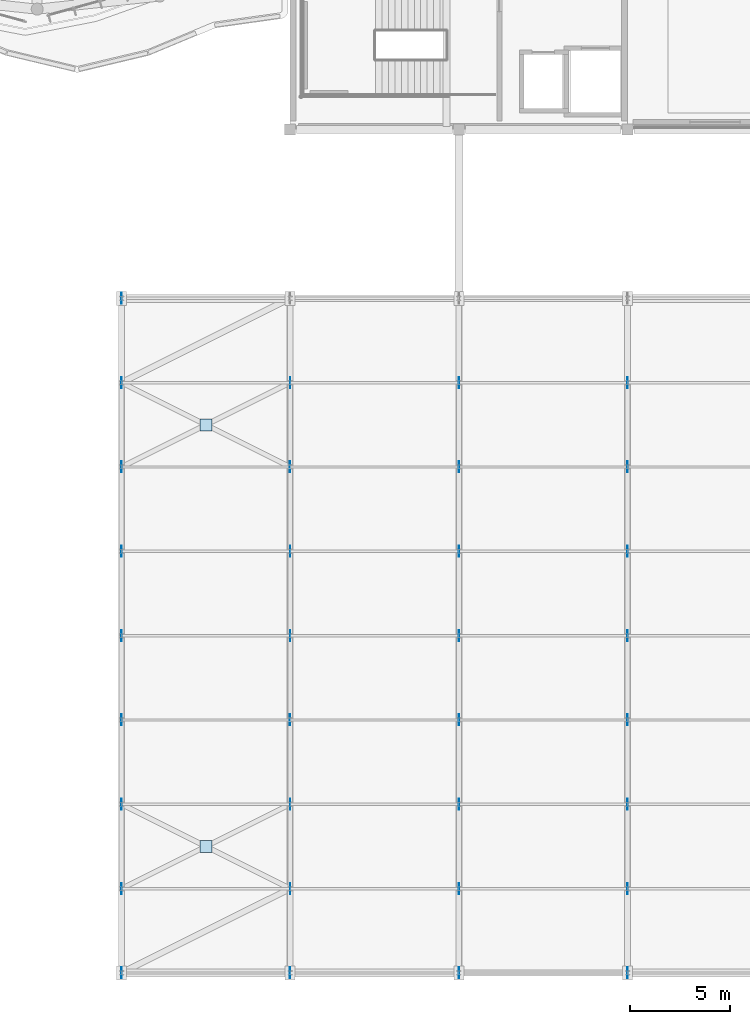
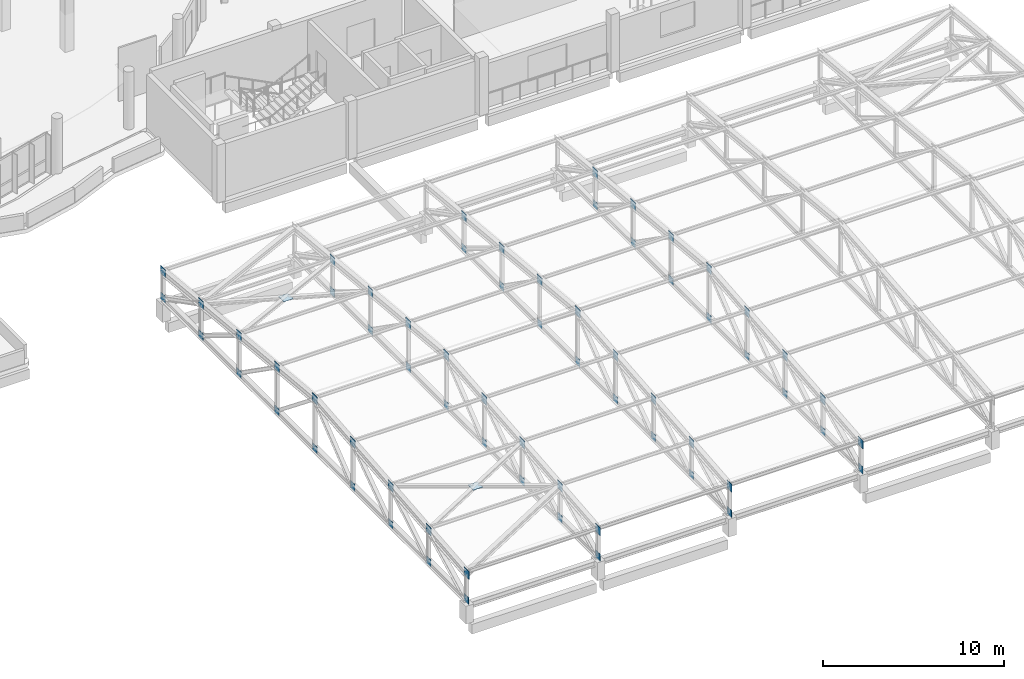
# One storey, part 55 of 74: 68 plates.
"""IFC4 building model written with IfcOpenShell, lengths in metres."""

from ifc_helpers import new_model, si_unit, derived_unit, direction, frame, origin, origin_2d, place, context, subcontext, project, spatial, rectangle, extrude, material, layer, layer_set, type_object, element, save


model = new_model("IFC4")

# Units and contexts
model_context = context("Model", 3, precision=1e-05, world=origin(), true_north=direction((0.0, 1.0)))
body_context = subcontext(model_context, "Body", "Model", "MODEL_VIEW")
ifc_project = project(units=[si_unit("LENGTHUNIT", "METRE"), si_unit("AREAUNIT", "SQUARE_METRE"), si_unit("VOLUMEUNIT", "CUBIC_METRE"), si_unit("PLANEANGLEUNIT", "RADIAN"), si_unit("MASSUNIT", "GRAM", prefix="KILO"), derived_unit("THERMALTRANSMITTANCEUNIT", [(si_unit("POWERUNIT", "WATT"), 1), (si_unit("LENGTHUNIT", "METRE"), -2), (si_unit("THERMODYNAMICTEMPERATUREUNIT", "KELVIN"), -1)])], contexts=[model_context])

# Site, building, storey
site_placement = place(None, origin())
site = spatial("IfcSite", under=ifc_project, at=site_placement, CompositionType="ELEMENT")
building_placement = place(site_placement, origin())
building = spatial("IfcBuilding", under=site, at=building_placement, Name="Elbkamm Science Centre", CompositionType="ELEMENT")
storey_placement = place(building_placement, frame((0.0, 0.0, 14.39990234375)))
storey = spatial("IfcBuildingStorey", under=building, at=storey_placement, Name="L03", CompositionType="ELEMENT", Elevation=14.39990234375)

# Plates
ifc_material = material(Name="Steel EN 10025-2 S355J2", Category="steel")
ifc_layer_1 = layer(ifc_material, 0.01611328125)
ifc_layer_set_1 = layer_set([ifc_layer_1], Name="Steel EN 10025-2 S355J2")
plate_type_1 = type_object("IfcPlateType", Name="PLT-SHEET-16", PredefinedType="SHEET", material=ifc_layer_set_1)
for number, where, z_axis, x_axis, name in (
    (1, (67.199951171875, 8.39990234375, 3.67626953125), (0.0, 0.0, 1.0), (1.0, 0.0, 0.0), "Theatre Truss 01 Top Node Gusset Plate 3"),
    (2, (67.199951171875, 21.0, 4.0732421875), (0.0, 0.0, 1.0), (1.0, 0.0, 0.0), "Theatre Truss 01 Top Node Gusset Plate 6"),
    (3, (67.199951171875, 33.60009765625, 2.8818359375), (0.0, 0.0, 1.0), (1.0, 0.0, 0.0), "Theatre Truss 01 Top Node Gusset Plate 9"),
    (4, (75.60009765625, 4.199951171875, 3.27880859375), (0.0, 0.0, 1.0), (1.0, 0.0, 0.0), "Theatre Truss 02 Top Node Gusset Plate 2"),
    (5, (75.60009765625, 16.800048828125, 4.47021484375), (0.0, 0.0, 1.0), (1.0, 0.0, 0.0), "Theatre Truss 02 Top Node Gusset Plate 5"),
    (6, (75.60009765625, 29.39990234375, 3.27880859375), (0.0, 0.0, 1.0), (1.0, 0.0, 0.0), "Theatre Truss 02 Top Node Gusset Plate 8"),
    (7, (84.0, 0.0, 2.8818359375), (0.0, 0.0, 1.0), (1.0, 0.0, 0.0), "Theatre Truss 03 Top Node Gusset Plate 1"),
    (8, (84.0, 12.60009765625, 4.0732421875), (0.0, 0.0, 1.0), (1.0, 0.0, 0.0), "Theatre Truss 03 Top Node Gusset Plate 4"),
    (9, (84.0, 25.199951171875, 3.67626953125), (0.0, 0.0, 1.0), (1.0, 0.0, 0.0), "Theatre Truss 03 Top Node Gusset Plate 7"),
    (10, (92.39990234375, 8.39990234375, 3.67626953125), (0.0, 0.0, 1.0), (1.0, 0.0, 0.0), "Theatre Truss 04 Top Node Gusset Plate 3"),
    (11, (92.39990234375, 21.0, 4.0732421875), (0.0, 0.0, 1.0), (1.0, 0.0, 0.0), "Theatre Truss 04 Top Node Gusset Plate 6"),
):
    element("IfcPlate", number, at=place(storey_placement, frame(where, z_axis=z_axis, x_axis=x_axis)), inside=storey, type_object=plate_type_1, Name=name, PredefinedType="SHEET", context=body_context, shape_type="SweptSolid", body=[
        extrude(rectangle(XDim=0.01611328125, YDim=0.550048828125, at=origin_2d()), origin(), (0.0, 0.0, 1.0), 0.550048828125),
    ])
ifc_layer_2 = layer(ifc_material, 0.02001953125)
ifc_layer_set_2 = layer_set([ifc_layer_2], Name="Steel EN 10025-2 S355J2")
plate_type_2 = type_object("IfcPlateType", Name="PLT-SHEET-20", PredefinedType="SHEET", material=ifc_layer_set_2)
plate_1_placement = place(storey_placement, frame((67.199951171875, 0.0, 2.8818359375), z_axis=(0.0, 0.0, 1.0), x_axis=(1.0, 0.0, 0.0)))
element("IfcPlate", 12, at=plate_1_placement, inside=storey, type_object=plate_type_2, Name="Theatre Truss 01 Top Node Gusset Plate 1", PredefinedType="SHEET", context=body_context, shape_type="SweptSolid", body=[
    extrude(rectangle(XDim=0.02001953125, YDim=0.550048828125, at=origin_2d()), origin(), (0.0, 0.0, 1.0), 0.550048828125),
])
for number, where, z_axis, x_axis, name in (
    (13, (67.199951171875, 4.199951171875, 1.150146484375), (0.0, 0.0, 1.0), (1.0, 0.0, 0.0), "Theatre Truss 01 Bottom Node Gusset Plate 2"),
    (14, (67.199951171875, 8.39990234375, 1.150146484375), (0.0, 0.0, 1.0), (1.0, 0.0, 0.0), "Theatre Truss 01 Bottom Node Gusset Plate 3"),
):
    element("IfcPlate", number, at=place(storey_placement, frame(where, z_axis=z_axis, x_axis=x_axis)), inside=storey, type_object=plate_type_2, Name=name, PredefinedType="SHEET", context=body_context, shape_type="SweptSolid", body=[
        extrude(rectangle(XDim=0.02001953125, YDim=0.5, at=origin_2d()), origin(), (0.0, 0.0, 1.0), 0.5),
    ])
plate_2_placement = place(storey_placement, frame((67.199951171875, 12.60009765625, 4.0732421875), z_axis=(0.0, 0.0, 1.0), x_axis=(1.0, 0.0, 0.0)))
element("IfcPlate", 15, at=plate_2_placement, inside=storey, type_object=plate_type_2, Name="Theatre Truss 01 Top Node Gusset Plate 4", PredefinedType="SHEET", context=body_context, shape_type="SweptSolid", body=[
    extrude(rectangle(XDim=0.02001953125, YDim=0.550048828125, at=origin_2d()), origin(), (0.0, 0.0, 1.0), 0.550048828125),
])
for number, where, z_axis, x_axis, name in (
    (16, (67.199951171875, 12.60009765625, 1.150146484375), (0.0, 0.0, 1.0), (1.0, 0.0, 0.0), "Theatre Truss 01 Bottom Node Gusset Plate 4"),
    (17, (67.199951171875, 16.800048828125, 1.150146484375), (0.0, 0.0, 1.0), (1.0, 0.0, 0.0), "Theatre Truss 01 Bottom Node Gusset Plate 5"),
    (18, (67.199951171875, 21.0, 1.150146484375), (0.0, 0.0, 1.0), (1.0, 0.0, 0.0), "Theatre Truss 01 Bottom Node Gusset Plate 6"),
):
    element("IfcPlate", number, at=place(storey_placement, frame(where, z_axis=z_axis, x_axis=x_axis)), inside=storey, type_object=plate_type_2, Name=name, PredefinedType="SHEET", context=body_context, shape_type="SweptSolid", body=[
        extrude(rectangle(XDim=0.02001953125, YDim=0.5, at=origin_2d()), origin(), (0.0, 0.0, 1.0), 0.5),
    ])
plate_3_placement = place(storey_placement, frame((67.199951171875, 25.199951171875, 3.67626953125), z_axis=(0.0, 0.0, 1.0), x_axis=(1.0, 0.0, 0.0)))
element("IfcPlate", 19, at=plate_3_placement, inside=storey, type_object=plate_type_2, Name="Theatre Truss 01 Top Node Gusset Plate 7", PredefinedType="SHEET", context=body_context, shape_type="SweptSolid", body=[
    extrude(rectangle(XDim=0.02001953125, YDim=0.550048828125, at=origin_2d()), origin(), (0.0, 0.0, 1.0), 0.550048828125),
])
for number, where, z_axis, x_axis, name in (
    (20, (67.199951171875, 25.199951171875, 1.150146484375), (0.0, 0.0, 1.0), (1.0, 0.0, 0.0), "Theatre Truss 01 Bottom Node Gusset Plate 7"),
    (21, (67.199951171875, 29.39990234375, 1.150146484375), (0.0, 0.0, 1.0), (1.0, 0.0, 0.0), "Theatre Truss 01 Bottom Node Gusset Plate 8"),
    (22, (75.60009765625, 4.199951171875, 1.150146484375), (0.0, 0.0, 1.0), (1.0, 0.0, 0.0), "Theatre Truss 02 Bottom Node Gusset Plate 2"),
):
    element("IfcPlate", number, at=place(storey_placement, frame(where, z_axis=z_axis, x_axis=x_axis)), inside=storey, type_object=plate_type_2, Name=name, PredefinedType="SHEET", context=body_context, shape_type="SweptSolid", body=[
        extrude(rectangle(XDim=0.02001953125, YDim=0.5, at=origin_2d()), origin(), (0.0, 0.0, 1.0), 0.5),
    ])
plate_4_placement = place(storey_placement, frame((75.60009765625, 8.39990234375, 3.67626953125), z_axis=(0.0, 0.0, 1.0), x_axis=(1.0, 0.0, 0.0)))
element("IfcPlate", 23, at=plate_4_placement, inside=storey, type_object=plate_type_2, Name="Theatre Truss 02 Top Node Gusset Plate 3", PredefinedType="SHEET", context=body_context, shape_type="SweptSolid", body=[
    extrude(rectangle(XDim=0.02001953125, YDim=0.550048828125, at=origin_2d()), origin(), (0.0, 0.0, 1.0), 0.550048828125),
])
for number, where, z_axis, x_axis, name in (
    (24, (75.60009765625, 8.39990234375, 1.150146484375), (0.0, 0.0, 1.0), (1.0, 0.0, 0.0), "Theatre Truss 02 Bottom Node Gusset Plate 3"),
    (25, (75.60009765625, 12.60009765625, 1.150146484375), (0.0, 0.0, 1.0), (1.0, 0.0, 0.0), "Theatre Truss 02 Bottom Node Gusset Plate 4"),
    (26, (75.60009765625, 16.800048828125, 1.150146484375), (0.0, 0.0, 1.0), (1.0, 0.0, 0.0), "Theatre Truss 02 Bottom Node Gusset Plate 5"),
):
    element("IfcPlate", number, at=place(storey_placement, frame(where, z_axis=z_axis, x_axis=x_axis)), inside=storey, type_object=plate_type_2, Name=name, PredefinedType="SHEET", context=body_context, shape_type="SweptSolid", body=[
        extrude(rectangle(XDim=0.02001953125, YDim=0.5, at=origin_2d()), origin(), (0.0, 0.0, 1.0), 0.5),
    ])
plate_5_placement = place(storey_placement, frame((75.60009765625, 21.0, 4.0732421875), z_axis=(0.0, 0.0, 1.0), x_axis=(1.0, 0.0, 0.0)))
element("IfcPlate", 27, at=plate_5_placement, inside=storey, type_object=plate_type_2, Name="Theatre Truss 02 Top Node Gusset Plate 6", PredefinedType="SHEET", context=body_context, shape_type="SweptSolid", body=[
    extrude(rectangle(XDim=0.02001953125, YDim=0.550048828125, at=origin_2d()), origin(), (0.0, 0.0, 1.0), 0.550048828125),
])
for number, where, z_axis, x_axis, name in (
    (28, (75.60009765625, 21.0, 1.150146484375), (0.0, 0.0, 1.0), (1.0, 0.0, 0.0), "Theatre Truss 02 Bottom Node Gusset Plate 6"),
    (29, (75.60009765625, 25.199951171875, 1.150146484375), (0.0, 0.0, 1.0), (1.0, 0.0, 0.0), "Theatre Truss 02 Bottom Node Gusset Plate 7"),
    (30, (75.60009765625, 29.39990234375, 1.150146484375), (0.0, 0.0, 1.0), (1.0, 0.0, 0.0), "Theatre Truss 02 Bottom Node Gusset Plate 8"),
):
    element("IfcPlate", number, at=place(storey_placement, frame(where, z_axis=z_axis, x_axis=x_axis)), inside=storey, type_object=plate_type_2, Name=name, PredefinedType="SHEET", context=body_context, shape_type="SweptSolid", body=[
        extrude(rectangle(XDim=0.02001953125, YDim=0.5, at=origin_2d()), origin(), (0.0, 0.0, 1.0), 0.5),
    ])
plate_6_placement = place(storey_placement, frame((84.0, 4.199951171875, 3.27880859375), z_axis=(0.0, 0.0, 1.0), x_axis=(1.0, 0.0, 0.0)))
element("IfcPlate", 31, at=plate_6_placement, inside=storey, type_object=plate_type_2, Name="Theatre Truss 03 Top Node Gusset Plate 2", PredefinedType="SHEET", context=body_context, shape_type="SweptSolid", body=[
    extrude(rectangle(XDim=0.02001953125, YDim=0.550048828125, at=origin_2d()), origin(), (0.0, 0.0, 1.0), 0.550048828125),
])
for number, where, z_axis, x_axis, name in (
    (32, (84.0, 4.199951171875, 1.150146484375), (0.0, 0.0, 1.0), (1.0, 0.0, 0.0), "Theatre Truss 03 Bottom Node Gusset Plate 2"),
    (33, (84.0, 8.39990234375, 1.150146484375), (0.0, 0.0, 1.0), (1.0, 0.0, 0.0), "Theatre Truss 03 Bottom Node Gusset Plate 3"),
    (34, (84.0, 12.60009765625, 1.150146484375), (0.0, 0.0, 1.0), (1.0, 0.0, 0.0), "Theatre Truss 03 Bottom Node Gusset Plate 4"),
):
    element("IfcPlate", number, at=place(storey_placement, frame(where, z_axis=z_axis, x_axis=x_axis)), inside=storey, type_object=plate_type_2, Name=name, PredefinedType="SHEET", context=body_context, shape_type="SweptSolid", body=[
        extrude(rectangle(XDim=0.02001953125, YDim=0.5, at=origin_2d()), origin(), (0.0, 0.0, 1.0), 0.5),
    ])
plate_7_placement = place(storey_placement, frame((84.0, 16.800048828125, 4.47021484375), z_axis=(0.0, 0.0, 1.0), x_axis=(1.0, 0.0, 0.0)))
element("IfcPlate", 35, at=plate_7_placement, inside=storey, type_object=plate_type_2, Name="Theatre Truss 03 Top Node Gusset Plate 5", PredefinedType="SHEET", context=body_context, shape_type="SweptSolid", body=[
    extrude(rectangle(XDim=0.02001953125, YDim=0.550048828125, at=origin_2d()), origin(), (0.0, 0.0, 1.0), 0.550048828125),
])
for number, where, z_axis, x_axis, name in (
    (36, (84.0, 16.800048828125, 1.150146484375), (0.0, 0.0, 1.0), (1.0, 0.0, 0.0), "Theatre Truss 03 Bottom Node Gusset Plate 5"),
    (37, (84.0, 21.0, 1.150146484375), (0.0, 0.0, 1.0), (1.0, 0.0, 0.0), "Theatre Truss 03 Bottom Node Gusset Plate 6"),
    (38, (84.0, 25.199951171875, 1.150146484375), (0.0, 0.0, 1.0), (1.0, 0.0, 0.0), "Theatre Truss 03 Bottom Node Gusset Plate 7"),
):
    element("IfcPlate", number, at=place(storey_placement, frame(where, z_axis=z_axis, x_axis=x_axis)), inside=storey, type_object=plate_type_2, Name=name, PredefinedType="SHEET", context=body_context, shape_type="SweptSolid", body=[
        extrude(rectangle(XDim=0.02001953125, YDim=0.5, at=origin_2d()), origin(), (0.0, 0.0, 1.0), 0.5),
    ])
plate_8_placement = place(storey_placement, frame((84.0, 29.39990234375, 3.27880859375), z_axis=(0.0, 0.0, 1.0), x_axis=(1.0, 0.0, 0.0)))
element("IfcPlate", 39, at=plate_8_placement, inside=storey, type_object=plate_type_2, Name="Theatre Truss 03 Top Node Gusset Plate 8", PredefinedType="SHEET", context=body_context, shape_type="SweptSolid", body=[
    extrude(rectangle(XDim=0.02001953125, YDim=0.550048828125, at=origin_2d()), origin(), (0.0, 0.0, 1.0), 0.550048828125),
])
plate_9_placement = place(storey_placement, frame((84.0, 29.39990234375, 1.150146484375), z_axis=(0.0, 0.0, 1.0), x_axis=(1.0, 0.0, 0.0)))
element("IfcPlate", 40, at=plate_9_placement, inside=storey, type_object=plate_type_2, Name="Theatre Truss 03 Bottom Node Gusset Plate 8", PredefinedType="SHEET", context=body_context, shape_type="SweptSolid", body=[
    extrude(rectangle(XDim=0.02001953125, YDim=0.5, at=origin_2d()), origin(), (0.0, 0.0, 1.0), 0.5),
])
plate_10_placement = place(storey_placement, frame((92.39990234375, 0.0, 2.8818359375), z_axis=(0.0, 0.0, 1.0), x_axis=(1.0, 0.0, 0.0)))
element("IfcPlate", 41, at=plate_10_placement, inside=storey, type_object=plate_type_2, Name="Theatre Truss 04 Top Node Gusset Plate 1", PredefinedType="SHEET", context=body_context, shape_type="SweptSolid", body=[
    extrude(rectangle(XDim=0.02001953125, YDim=0.550048828125, at=origin_2d()), origin(), (0.0, 0.0, 1.0), 0.550048828125),
])
for number, where, z_axis, x_axis, name in (
    (42, (92.39990234375, 4.199951171875, 1.150146484375), (0.0, 0.0, 1.0), (1.0, 0.0, 0.0), "Theatre Truss 04 Bottom Node Gusset Plate 2"),
    (43, (92.39990234375, 8.39990234375, 1.150146484375), (0.0, 0.0, 1.0), (1.0, 0.0, 0.0), "Theatre Truss 04 Bottom Node Gusset Plate 3"),
):
    element("IfcPlate", number, at=place(storey_placement, frame(where, z_axis=z_axis, x_axis=x_axis)), inside=storey, type_object=plate_type_2, Name=name, PredefinedType="SHEET", context=body_context, shape_type="SweptSolid", body=[
        extrude(rectangle(XDim=0.02001953125, YDim=0.5, at=origin_2d()), origin(), (0.0, 0.0, 1.0), 0.5),
    ])
plate_11_placement = place(storey_placement, frame((92.39990234375, 12.60009765625, 4.0732421875), z_axis=(0.0, 0.0, 1.0), x_axis=(1.0, 0.0, 0.0)))
element("IfcPlate", 44, at=plate_11_placement, inside=storey, type_object=plate_type_2, Name="Theatre Truss 04 Top Node Gusset Plate 4", PredefinedType="SHEET", context=body_context, shape_type="SweptSolid", body=[
    extrude(rectangle(XDim=0.02001953125, YDim=0.550048828125, at=origin_2d()), origin(), (0.0, 0.0, 1.0), 0.550048828125),
])
for number, where, z_axis, x_axis, name in (
    (45, (92.39990234375, 12.60009765625, 1.150146484375), (0.0, 0.0, 1.0), (1.0, 0.0, 0.0), "Theatre Truss 04 Bottom Node Gusset Plate 4"),
    (46, (92.39990234375, 16.800048828125, 1.150146484375), (0.0, 0.0, 1.0), (1.0, 0.0, 0.0), "Theatre Truss 04 Bottom Node Gusset Plate 5"),
    (47, (92.39990234375, 21.0, 1.150146484375), (0.0, 0.0, 1.0), (1.0, 0.0, 0.0), "Theatre Truss 04 Bottom Node Gusset Plate 6"),
):
    element("IfcPlate", number, at=place(storey_placement, frame(where, z_axis=z_axis, x_axis=x_axis)), inside=storey, type_object=plate_type_2, Name=name, PredefinedType="SHEET", context=body_context, shape_type="SweptSolid", body=[
        extrude(rectangle(XDim=0.02001953125, YDim=0.5, at=origin_2d()), origin(), (0.0, 0.0, 1.0), 0.5),
    ])
plate_12_placement = place(storey_placement, frame((92.39990234375, 25.199951171875, 3.67626953125), z_axis=(0.0, 0.0, 1.0), x_axis=(1.0, 0.0, 0.0)))
element("IfcPlate", 48, at=plate_12_placement, inside=storey, type_object=plate_type_2, Name="Theatre Truss 04 Top Node Gusset Plate 7", PredefinedType="SHEET", context=body_context, shape_type="SweptSolid", body=[
    extrude(rectangle(XDim=0.02001953125, YDim=0.550048828125, at=origin_2d()), origin(), (0.0, 0.0, 1.0), 0.550048828125),
])
for number, where, z_axis, x_axis, name in (
    (49, (92.39990234375, 25.199951171875, 1.150146484375), (0.0, 0.0, 1.0), (1.0, 0.0, 0.0), "Theatre Truss 04 Bottom Node Gusset Plate 7"),
    (50, (92.39990234375, 29.39990234375, 1.150146484375), (0.0, 0.0, 1.0), (1.0, 0.0, 0.0), "Theatre Truss 04 Bottom Node Gusset Plate 8"),
):
    element("IfcPlate", number, at=place(storey_placement, frame(where, z_axis=z_axis, x_axis=x_axis)), inside=storey, type_object=plate_type_2, Name=name, PredefinedType="SHEET", context=body_context, shape_type="SweptSolid", body=[
        extrude(rectangle(XDim=0.02001953125, YDim=0.5, at=origin_2d()), origin(), (0.0, 0.0, 1.0), 0.5),
    ])
for number, where, z_axis, x_axis, name in (
    (51, (71.39990234375, 6.300048828125, 3.74267578125), (0.0, 0.0, 1.0), (1.0, 0.0, 0.0), "Theatre Roof Plan X-Brace Central Gusset Plate B1-P2"),
    (52, (71.39990234375, 27.300048828125, 3.74267578125), (0.0, 0.0, 1.0), (1.0, 0.0, 0.0), "Theatre Roof Plan X-Brace Central Gusset Plate B1-P7"),
):
    element("IfcPlate", number, at=place(storey_placement, frame(where, z_axis=z_axis, x_axis=x_axis)), inside=storey, type_object=plate_type_2, Name=name, PredefinedType="SHEET", context=body_context, shape_type="SweptSolid", body=[
        extrude(rectangle(XDim=0.60009765625, YDim=0.60009765625, at=origin_2d()), origin(), (0.0, 0.0, 1.0), 0.02001953125),
    ])
ifc_layer_3 = layer(ifc_material, 0.02392578125)
ifc_layer_set_3 = layer_set([ifc_layer_3], Name="Steel EN 10025-2 S355J2")
plate_type_3 = type_object("IfcPlateType", Name="PLT-SHEET-24", PredefinedType="SHEET", material=ifc_layer_set_3)
plate_13_placement = place(storey_placement, frame((67.199951171875, 0.0, 1.150146484375), z_axis=(0.0, 0.0, 1.0), x_axis=(1.0, 0.0, 0.0)))
element("IfcPlate", 53, at=plate_13_placement, inside=storey, type_object=plate_type_3, Name="Theatre Truss 01 Bottom Node Gusset Plate 1", PredefinedType="SHEET", context=body_context, shape_type="SweptSolid", body=[
    extrude(rectangle(XDim=0.02392578125, YDim=0.5, at=origin_2d()), origin(), (0.0, 0.0, 1.0), 0.5),
])
for number, where, z_axis, x_axis, name in (
    (54, (67.199951171875, 4.199951171875, 3.27880859375), (0.0, 0.0, 1.0), (1.0, 0.0, 0.0), "Theatre Truss 01 Top Node Gusset Plate 2"),
    (55, (67.199951171875, 16.800048828125, 4.47021484375), (0.0, 0.0, 1.0), (1.0, 0.0, 0.0), "Theatre Truss 01 Top Node Gusset Plate 5"),
    (56, (67.199951171875, 29.39990234375, 3.27880859375), (0.0, 0.0, 1.0), (1.0, 0.0, 0.0), "Theatre Truss 01 Top Node Gusset Plate 8"),
):
    element("IfcPlate", number, at=place(storey_placement, frame(where, z_axis=z_axis, x_axis=x_axis)), inside=storey, type_object=plate_type_3, Name=name, PredefinedType="SHEET", context=body_context, shape_type="SweptSolid", body=[
        extrude(rectangle(XDim=0.02392578125, YDim=0.550048828125, at=origin_2d()), origin(), (0.0, 0.0, 1.0), 0.550048828125),
    ])
plate_14_placement = place(storey_placement, frame((67.199951171875, 33.60009765625, 1.150146484375), z_axis=(0.0, 0.0, 1.0), x_axis=(1.0, 0.0, 0.0)))
element("IfcPlate", 57, at=plate_14_placement, inside=storey, type_object=plate_type_3, Name="Theatre Truss 01 Bottom Node Gusset Plate 9", PredefinedType="SHEET", context=body_context, shape_type="SweptSolid", body=[
    extrude(rectangle(XDim=0.02392578125, YDim=0.5, at=origin_2d()), origin(), (0.0, 0.0, 1.0), 0.5),
])
plate_15_placement = place(storey_placement, frame((75.60009765625, 0.0, 2.8818359375), z_axis=(0.0, 0.0, 1.0), x_axis=(1.0, 0.0, 0.0)))
element("IfcPlate", 58, at=plate_15_placement, inside=storey, type_object=plate_type_3, Name="Theatre Truss 02 Top Node Gusset Plate 1", PredefinedType="SHEET", context=body_context, shape_type="SweptSolid", body=[
    extrude(rectangle(XDim=0.02392578125, YDim=0.550048828125, at=origin_2d()), origin(), (0.0, 0.0, 1.0), 0.550048828125),
])
plate_16_placement = place(storey_placement, frame((75.60009765625, 0.0, 1.150146484375), z_axis=(0.0, 0.0, 1.0), x_axis=(1.0, 0.0, 0.0)))
element("IfcPlate", 59, at=plate_16_placement, inside=storey, type_object=plate_type_3, Name="Theatre Truss 02 Bottom Node Gusset Plate 1", PredefinedType="SHEET", context=body_context, shape_type="SweptSolid", body=[
    extrude(rectangle(XDim=0.02392578125, YDim=0.5, at=origin_2d()), origin(), (0.0, 0.0, 1.0), 0.5),
])
for number, where, z_axis, x_axis, name in (
    (60, (75.60009765625, 12.60009765625, 4.0732421875), (0.0, 0.0, 1.0), (1.0, 0.0, 0.0), "Theatre Truss 02 Top Node Gusset Plate 4"),
    (61, (75.60009765625, 25.199951171875, 3.67626953125), (0.0, 0.0, 1.0), (1.0, 0.0, 0.0), "Theatre Truss 02 Top Node Gusset Plate 7"),
):
    element("IfcPlate", number, at=place(storey_placement, frame(where, z_axis=z_axis, x_axis=x_axis)), inside=storey, type_object=plate_type_3, Name=name, PredefinedType="SHEET", context=body_context, shape_type="SweptSolid", body=[
        extrude(rectangle(XDim=0.02392578125, YDim=0.550048828125, at=origin_2d()), origin(), (0.0, 0.0, 1.0), 0.550048828125),
    ])
plate_17_placement = place(storey_placement, frame((84.0, 0.0, 1.150146484375), z_axis=(0.0, 0.0, 1.0), x_axis=(1.0, 0.0, 0.0)))
element("IfcPlate", 62, at=plate_17_placement, inside=storey, type_object=plate_type_3, Name="Theatre Truss 03 Bottom Node Gusset Plate 1", PredefinedType="SHEET", context=body_context, shape_type="SweptSolid", body=[
    extrude(rectangle(XDim=0.02392578125, YDim=0.5, at=origin_2d()), origin(), (0.0, 0.0, 1.0), 0.5),
])
for number, where, z_axis, x_axis, name in (
    (63, (84.0, 8.39990234375, 3.67626953125), (0.0, 0.0, 1.0), (1.0, 0.0, 0.0), "Theatre Truss 03 Top Node Gusset Plate 3"),
    (64, (84.0, 21.0, 4.0732421875), (0.0, 0.0, 1.0), (1.0, 0.0, 0.0), "Theatre Truss 03 Top Node Gusset Plate 6"),
):
    element("IfcPlate", number, at=place(storey_placement, frame(where, z_axis=z_axis, x_axis=x_axis)), inside=storey, type_object=plate_type_3, Name=name, PredefinedType="SHEET", context=body_context, shape_type="SweptSolid", body=[
        extrude(rectangle(XDim=0.02392578125, YDim=0.550048828125, at=origin_2d()), origin(), (0.0, 0.0, 1.0), 0.550048828125),
    ])
plate_18_placement = place(storey_placement, frame((92.39990234375, 0.0, 1.150146484375), z_axis=(0.0, 0.0, 1.0), x_axis=(1.0, 0.0, 0.0)))
element("IfcPlate", 65, at=plate_18_placement, inside=storey, type_object=plate_type_3, Name="Theatre Truss 04 Bottom Node Gusset Plate 1", PredefinedType="SHEET", context=body_context, shape_type="SweptSolid", body=[
    extrude(rectangle(XDim=0.02392578125, YDim=0.5, at=origin_2d()), origin(), (0.0, 0.0, 1.0), 0.5),
])
for number, where, z_axis, x_axis, name in (
    (66, (92.39990234375, 4.199951171875, 3.27880859375), (0.0, 0.0, 1.0), (1.0, 0.0, 0.0), "Theatre Truss 04 Top Node Gusset Plate 2"),
    (67, (92.39990234375, 16.800048828125, 4.47021484375), (0.0, 0.0, 1.0), (1.0, 0.0, 0.0), "Theatre Truss 04 Top Node Gusset Plate 5"),
    (68, (92.39990234375, 29.39990234375, 3.27880859375), (0.0, 0.0, 1.0), (1.0, 0.0, 0.0), "Theatre Truss 04 Top Node Gusset Plate 8"),
):
    element("IfcPlate", number, at=place(storey_placement, frame(where, z_axis=z_axis, x_axis=x_axis)), inside=storey, type_object=plate_type_3, Name=name, PredefinedType="SHEET", context=body_context, shape_type="SweptSolid", body=[
        extrude(rectangle(XDim=0.02392578125, YDim=0.550048828125, at=origin_2d()), origin(), (0.0, 0.0, 1.0), 0.550048828125),
    ])

save(model, "model.ifc")
